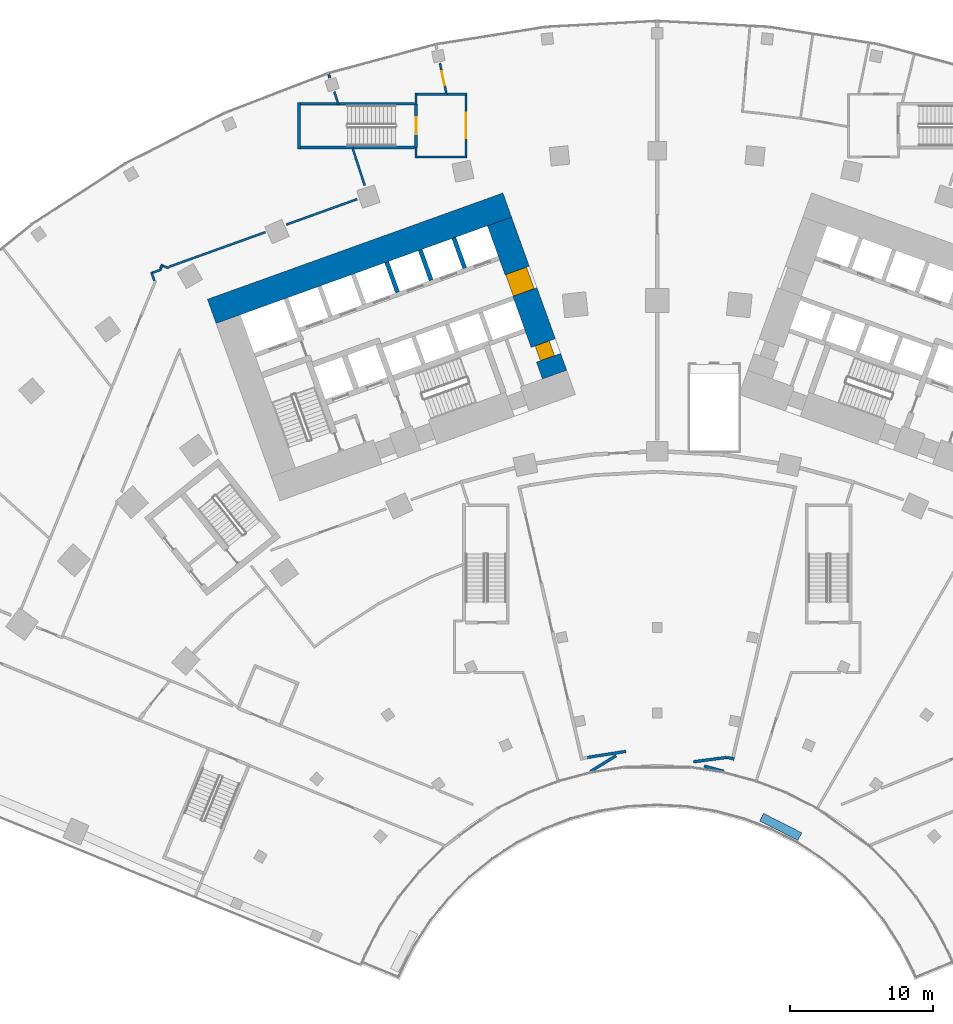
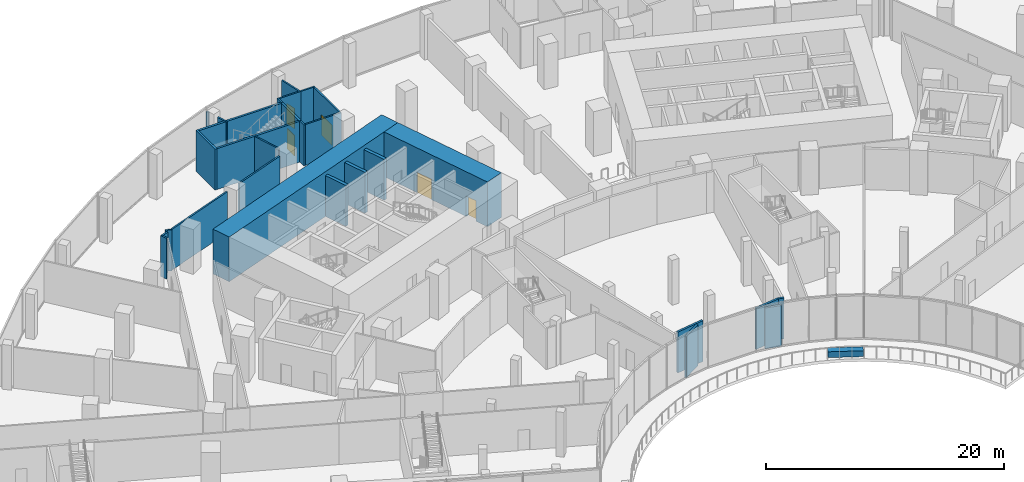
# One storey, part 24 of 40: 33 walls, 5 doors, 5 openings.
"""IFC4 building model written with IfcOpenShell, lengths in metres."""

from ifc_helpers import new_model, si_unit, direction, frame, frame_2d, origin, origin_2d, place, context, subcontext, project, spatial, rectangle, extrude, material, layer, layer_set, type_object, element, fill, save


model = new_model("IFC4")

# Units and contexts
model_context = context("Model", 3, precision=1e-05, world=origin(), true_north=direction((0.0, 1.0)))
body_context = subcontext(model_context, "Body", "Model", "MODEL_VIEW")
ifc_project = project(units=[si_unit("LENGTHUNIT", "METRE"), si_unit("AREAUNIT", "SQUARE_METRE"), si_unit("VOLUMEUNIT", "CUBIC_METRE"), si_unit("PLANEANGLEUNIT", "RADIAN"), si_unit("MASSUNIT", "GRAM", prefix="KILO")], contexts=[model_context])

# Site, building, storey
site_placement = place(None, origin())
site = spatial("IfcSite", under=ifc_project, at=site_placement, CompositionType="ELEMENT")
building_placement = place(site_placement, origin())
building = spatial("IfcBuilding", under=site, at=building_placement, Name="Stone Belt Terrace Tower", CompositionType="ELEMENT")
storey_placement = place(building_placement, frame((0.0, 0.0, 11.60009765625)))
storey = spatial("IfcBuildingStorey", under=building, at=storey_placement, Name="L02", CompositionType="ELEMENT", Elevation=11.60009765625)

# Wall
ifc_material_1 = material(Name="Concrete B80", Category="concrete")
ifc_layer_1 = layer(ifc_material_1, 1.800048828125)
ifc_layer_set_1 = layer_set([ifc_layer_1], Name="Core wall 1800 B80")
wall_type_1 = type_object("IfcWallType", Name="Core wall 1800 B80", PredefinedType="SHEAR", material=ifc_layer_set_1)
wall_1_placement = place(storey_placement, frame((-31.20947265625, 54.23583984375, 0.0), z_axis=(0.0, 0.0, 1.0), x_axis=(0.940922914687, 0.338620833112, 0.0)))
element("IfcWall", 1, at=wall_1_placement, inside=storey, type_object=wall_type_1, Name="Core A wall convex L02", PredefinedType="SHEAR", context=body_context, shape_type="SweptSolid", body=[
    extrude(rectangle(XDim=22.000244140625, YDim=1.800048828125, at=frame_2d((11.0, 0.0))), origin(), (0.0, 0.0, 1.0), 4.599853515625),
])

# Wall, openings, doors
wall_2_placement = place(storey_placement, frame((-7.19091796875, 49.8076171875, 0.0), z_axis=(0.0, 0.0, 1.0), x_axis=(-0.338632255135, 0.940918804033, 0.0)))
wall_2 = element("IfcWall", 2, at=wall_2_placement, inside=storey, type_object=wall_type_1, Name="Core A wall end_b L02", PredefinedType="SHEAR", context=body_context, shape_type="SweptSolid", body=[
    extrude(rectangle(XDim=11.39990234375, YDim=1.800048828125, at=frame_2d((5.699951171875, 0.0))), origin(), (0.0, 0.0, 1.0), 4.599853515625),
])
opening_1_placement = place(wall_2_placement, frame((6.14990234375, 0.0, 0.0)))
opening_1 = element("IfcOpeningElement", 3, at=opening_1_placement, cuts=wall_2, Name="Opening L02-C02", PredefinedType="OPENING", context=body_context, shape_type="SweptSolid", body=[
    extrude(rectangle(XDim=1.60009765625, YDim=2.10009765625, at=frame_2d((0.800048828125, 1.050048828125))), frame((0.0, 0.909912109375, 0.0), z_axis=(0.0, -1.0, 0.0), x_axis=(1.0, 0.0, 0.0)), (0.0, 0.0, 1.0), 1.820068359375),
])
opening_2_placement = place(wall_2_placement, frame((1.25, 0.0, 0.0)))
opening_2 = element("IfcOpeningElement", 4, at=opening_2_placement, cuts=wall_2, Name="Opening L02-C08", PredefinedType="OPENING", context=body_context, shape_type="SweptSolid", body=[
    extrude(rectangle(XDim=1.10009765625, YDim=2.10009765625, at=frame_2d((0.550048828125, 1.050048828125))), frame((0.0, 0.909912109375, 0.0), z_axis=(0.0, -1.0, 0.0), x_axis=(1.0, 0.0, 0.0)), (0.0, 0.0, 1.0), 1.820068359375),
])
ifc_material_2 = material(Name="Timber door leaf", Category="wood")
door_type_1 = type_object("IfcDoorType", Name="Core room door 1100", OperationType="SINGLE_SWING_LEFT", PredefinedType="DOOR", material=ifc_material_2)
door_1_placement = place(opening_2_placement, origin())
door_1 = element("IfcDoor", 5, at=door_1_placement, inside=storey, type_object=door_type_1, Name="Door to Cleaner's store core A", OperationType="SINGLE_SWING_RIGHT", OverallHeight=2.10009765625, OverallWidth=1.10009765625, PredefinedType="DOOR", context=body_context, shape_type="SweptSolid", body=[
    extrude(rectangle(XDim=1.10009765625, YDim=2.10009765625, at=frame_2d((0.550048828125, 1.050048828125))), frame((0.0, 0.60498046875, 0.0), z_axis=(0.0, -1.0, 0.0), x_axis=(1.0, 0.0, 0.0)), (0.0, 0.0, 1.0), 1.050048828125),
])
fill(opening_2, door_1)
ifc_material_3 = material(Name="Glazed aluminium door leaf", Category="aluminium")
door_type_2 = type_object("IfcDoorType", Name="Lift lobby entrance door 1600", OperationType="DOUBLE_DOOR_SINGLE_SWING", PredefinedType="DOOR", material=ifc_material_3)
door_2_placement = place(opening_1_placement, origin())
door_2 = element("IfcDoor", 6, at=door_2_placement, inside=storey, type_object=door_type_2, Name="Lift lobby entrance door core A", OperationType="DOUBLE_DOOR_SINGLE_SWING", OverallHeight=2.10009765625, OverallWidth=1.60009765625, PredefinedType="DOOR", context=body_context, shape_type="SweptSolid", body=[
    extrude(rectangle(XDim=1.60009765625, YDim=2.10009765625, at=frame_2d((0.800048828125, 1.050048828125))), frame((0.0, 0.85498046875, 0.0), z_axis=(0.0, -1.0, 0.0), x_axis=(1.0, 0.0, 0.0)), (0.0, 0.0, 1.0), 1.550048828125),
])
fill(opening_1, door_2)

# Walls
ifc_layer_2 = layer(ifc_material_1, 0.300048828125)
ifc_layer_set_2 = layer_set([ifc_layer_2], Name="Lift shaft wall 300")
wall_type_2 = type_object("IfcWallType", Name="Lift shaft wall 300", PredefinedType="SHEAR", material=ifc_layer_set_2)
wall_3_placement = place(storey_placement, frame((-18.193115234375, 55.572509765625, 0.0), z_axis=(0.0, 0.0, 1.0), x_axis=(-0.338535034312, 0.940953787677, 0.0)))
element("IfcWall", 7, at=wall_3_placement, inside=storey, type_object=wall_type_2, Name="Core A wall", PredefinedType="SHEAR", context=body_context, shape_type="SweptSolid", body=[
    extrude(rectangle(XDim=2.25, YDim=0.300048828125, at=frame_2d((1.125, 0.0))), origin(), (0.0, 0.0, 1.0), 4.199951171875),
])
wall_4_placement = place(storey_placement, frame((-15.8408203125, 56.419189453125, 0.0), z_axis=(0.0, 0.0, 1.0), x_axis=(-0.338569601369, 0.940941350472, 0.0)))
element("IfcWall", 8, at=wall_4_placement, inside=storey, type_object=wall_type_2, Name="Core A wall", PredefinedType="SHEAR", context=body_context, shape_type="SweptSolid", body=[
    extrude(rectangle(XDim=2.249755859375, YDim=0.300048828125, at=frame_2d((1.125, 0.0))), origin(), (0.0, 0.0, 1.0), 4.199951171875),
])
wall_5_placement = place(storey_placement, frame((-13.48828125, 57.265625, 0.0), z_axis=(0.0, 0.0, 1.0), x_axis=(-0.338631098537, 0.940919220286, 0.0)))
element("IfcWall", 9, at=wall_5_placement, inside=storey, type_object=wall_type_2, Name="Core A wall", PredefinedType="SHEAR", context=body_context, shape_type="SweptSolid", body=[
    extrude(rectangle(XDim=2.250244140625, YDim=0.300048828125, at=frame_2d((1.125, 0.0))), origin(), (0.0, 0.0, 1.0), 4.199951171875),
])
ifc_material_4 = material(Name="Precast concrete C40/50", Category="concrete")
ifc_layer_3 = layer(ifc_material_4, 0.60009765625)
ifc_layer_set_3 = layer_set([ifc_layer_3], Name="Planter box 600 x 600")
wall_type_3 = type_object("IfcWallType", Name="Planter box 600 x 600", PredefinedType="SOLIDWALL", material=ifc_layer_set_3)
wall_6_placement = place(storey_placement, frame((8.6513671875, 18.12060546875, -0.000244140625), z_axis=(0.0, 0.0, 1.0), x_axis=(0.891006524188, -0.45399049974, 0.0)))
element("IfcWall", 10, at=wall_6_placement, inside=storey, type_object=wall_type_3, Name="PLANTER L02 2", PredefinedType="SOLIDWALL", context=body_context, shape_type="SweptSolid", body=[
    extrude(rectangle(XDim=3.0, YDim=0.60009765625, at=origin_2d()), origin(), (0.0, 0.0, 1.0), 0.60009765625),
])
ifc_material_5 = material(Name="Blockwork wall, plastered both faces", Category="masonry")
ifc_layer_4 = layer(ifc_material_5, 0.199951171875)
ifc_layer_set_4 = layer_set([ifc_layer_4], Name="Podium demising wall 200")
wall_type_4 = type_object("IfcWallType", Name="Podium demising wall 200", PredefinedType="PARTITIONING", material=ifc_layer_set_4)
wall_7_placement = place(storey_placement, frame((-4.88671875, 22.990478515625, 0.0), z_axis=(0.0, 0.0, 1.0), x_axis=(0.987996599957, 0.154475624202, 0.0)))
element("IfcWall", 11, at=wall_7_placement, inside=storey, type_object=wall_type_4, Name="Podium demising wall 200", PredefinedType="PARTITIONING", context=body_context, shape_type="SweptSolid", body=[
    extrude(rectangle(XDim=2.715087890625, YDim=0.199951171875, at=frame_2d((1.357421875, 0.0))), origin(), (0.0, 0.0, 1.0), 4.199951171875),
])
wall_8_placement = place(storey_placement, frame((-4.669921875, 22.010009765625, 0.0), z_axis=(0.0, 0.0, 1.0), x_axis=(0.851626349677, 0.524149368536, 0.0)))
element("IfcWall", 12, at=wall_8_placement, inside=storey, type_object=wall_type_4, Name="Podium demising wall 200", PredefinedType="PARTITIONING", context=body_context, shape_type="SweptSolid", body=[
    extrude(rectangle(XDim=2.097900390625, YDim=0.199951171875, at=frame_2d((1.048828125, 0.0))), origin(), (0.0, 0.0, 1.0), 4.199951171875),
])
wall_9_placement = place(storey_placement, frame((3.282470703125, 22.381591796875, 0.0), z_axis=(0.0, 0.0, 1.0), x_axis=(0.965957912385, -0.258699268459, 0.0)))
element("IfcWall", 13, at=wall_9_placement, inside=storey, type_object=wall_type_4, Name="Podium demising wall 200", PredefinedType="PARTITIONING", context=body_context, shape_type="SweptSolid", body=[
    extrude(rectangle(XDim=1.436279296875, YDim=0.199951171875, at=frame_2d((0.71826171875, 0.0))), origin(), (0.0, 0.0, 1.0), 4.199951171875),
])
wall_10_placement = place(storey_placement, frame((2.5400390625, 22.683837890625, 0.0), z_axis=(0.0, 0.0, 1.0), x_axis=(0.991614297097, 0.129232680821, 0.0)))
element("IfcWall", 14, at=wall_10_placement, inside=storey, type_object=wall_type_4, Name="Podium demising wall 200", PredefinedType="PARTITIONING", context=body_context, shape_type="SweptSolid", body=[
    extrude(rectangle(XDim=2.35205078125, YDim=0.199951171875, at=frame_2d((1.176025390625, 0.0))), origin(), (0.0, 0.0, 1.0), 4.199951171875),
])
wall_11_placement = place(storey_placement, frame((4.9072265625, 22.986083984375, 0.0), z_axis=(0.0, 0.0, 1.0), x_axis=(0.975588518778, -0.2196065619, 0.0)))
element("IfcWall", 15, at=wall_11_placement, inside=storey, type_object=wall_type_4, Name="Podium demising wall 200", PredefinedType="PARTITIONING", context=body_context, shape_type="SweptSolid", body=[
    extrude(rectangle(XDim=0.492431640625, YDim=0.199951171875, at=frame_2d((0.24609375, 0.0))), origin(), (0.0, 0.0, 1.0), 4.199951171875),
])
ifc_material_6 = material(Name="Gypsum board on steel stud partition", Category="steel")
ifc_layer_5 = layer(ifc_material_6, 0.14990234375)
ifc_layer_set_5 = layer_set([ifc_layer_5], Name="Podium partition 150")
wall_type_5 = type_object("IfcWallType", Name="Podium partition 150", PredefinedType="PARTITIONING", material=ifc_layer_set_5)
wall_12_placement = place(storey_placement, frame((-35.4453125, 56.990478515625, 0.0), z_axis=(0.0, 0.0, 1.0), x_axis=(0.338356368575, -0.941018048629, 0.0)))
element("IfcWall", 16, at=wall_12_placement, inside=storey, type_object=wall_type_5, Name="Podium partition 150", PredefinedType="PARTITIONING", context=body_context, shape_type="SweptSolid", body=[
    extrude(rectangle(XDim=0.642822265625, YDim=0.14990234375, at=frame_2d((0.3212890625, 0.0))), origin(), (0.0, 0.0, 1.0), 4.199951171875),
])
wall_13_placement = place(storey_placement, frame((-35.349609375, 56.945556640625, 0.0), z_axis=(0.0, 0.0, 1.0), x_axis=(0.940278374132, 0.340406491037, 0.0)))
element("IfcWall", 17, at=wall_13_placement, inside=storey, type_object=wall_type_5, Name="Podium partition 150", PredefinedType="PARTITIONING", context=body_context, shape_type="SweptSolid", body=[
    extrude(rectangle(XDim=0.6455078125, YDim=0.14990234375, at=frame_2d((0.32275390625, 0.0))), origin(), (0.0, 0.0, 1.0), 4.199951171875),
])
wall_14_placement = place(storey_placement, frame((-34.798583984375, 57.224853515625, 0.0), z_axis=(0.0, 0.0, 1.0), x_axis=(0.400978485899, 0.916087470631, 0.0)))
element("IfcWall", 18, at=wall_14_placement, inside=storey, type_object=wall_type_5, Name="Podium partition 150", PredefinedType="PARTITIONING", context=body_context, shape_type="SweptSolid", body=[
    extrude(rectangle(XDim=0.32080078125, YDim=0.14990234375, at=frame_2d((0.160400390625, 0.0))), origin(), (0.0, 0.0, 1.0), 4.199951171875),
])
wall_15_placement = place(storey_placement, frame((-34.6298828125, 57.4228515625, 0.0), z_axis=(0.0, 0.0, 1.0), x_axis=(0.931918492074, -0.362667787556, 0.0)))
element("IfcWall", 19, at=wall_15_placement, inside=storey, type_object=wall_type_5, Name="Podium partition 150", PredefinedType="PARTITIONING", context=body_context, shape_type="SweptSolid", body=[
    extrude(rectangle(XDim=0.425537109375, YDim=0.14990234375, at=frame_2d((0.212890625, 0.0))), origin(), (0.0, 0.0, 1.0), 4.199951171875),
])
wall_16_placement = place(storey_placement, frame((-34.232421875, 57.3486328125, 0.0), z_axis=(0.0, 0.0, 1.0), x_axis=(0.940998265178, 0.338411384164, 0.0)))
element("IfcWall", 20, at=wall_16_placement, inside=storey, type_object=wall_type_5, Name="Podium partition 150", PredefinedType="PARTITIONING", context=body_context, shape_type="SweptSolid", body=[
    extrude(rectangle(XDim=7.212158203125, YDim=0.14990234375, at=frame_2d((3.60595703125, 0.0))), origin(), (0.0, 0.0, 1.0), 4.199951171875),
])
wall_17_placement = place(storey_placement, frame((-25.989013671875, 60.313232421875, 0.0), z_axis=(0.0, 0.0, 1.0), x_axis=(0.941002417958, 0.338399836581, 0.0)))
element("IfcWall", 21, at=wall_17_placement, inside=storey, type_object=wall_type_5, Name="Podium partition 150", PredefinedType="PARTITIONING", context=body_context, shape_type="SweptSolid", body=[
    extrude(rectangle(XDim=5.274658203125, YDim=0.14990234375, at=frame_2d((2.63720703125, 0.0))), origin(), (0.0, 0.0, 1.0), 4.199951171875),
])
wall_18_placement = place(storey_placement, frame((-23.021240234375, 70.85400390625, 0.0), z_axis=(0.0, 0.0, 1.0), x_axis=(0.308117681969, -0.951348250673, 0.0)))
element("IfcWall", 22, at=wall_18_placement, inside=storey, type_object=wall_type_5, Name="Podium partition 150", PredefinedType="PARTITIONING", context=body_context, shape_type="SweptSolid", body=[
    extrude(rectangle(XDim=0.26220703125, YDim=0.14990234375, at=frame_2d((0.131103515625, 0.0))), origin(), (0.0, 0.0, 1.0), 4.199951171875),
])
wall_19_placement = place(storey_placement, frame((-22.62646484375, 69.634033203125, 0.0), z_axis=(0.0, 0.0, 1.0), x_axis=(0.307962881637, -0.951398372678, 0.0)))
element("IfcWall", 23, at=wall_19_placement, inside=storey, type_object=wall_type_5, Name="Podium partition 150", PredefinedType="PARTITIONING", context=body_context, shape_type="SweptSolid", body=[
    extrude(rectangle(XDim=1.0029296875, YDim=0.14990234375, at=frame_2d((0.50146484375, 0.0))), origin(), (0.0, 0.0, 1.0), 4.199951171875),
])
wall_20_placement = place(storey_placement, frame((-21.329345703125, 65.6259765625, 0.0), z_axis=(0.0, 0.0, 1.0), x_axis=(0.309345127618, -0.950949836752, 0.0)))
element("IfcWall", 24, at=wall_20_placement, inside=storey, type_object=wall_type_5, Name="Podium partition 150", PredefinedType="PARTITIONING", context=body_context, shape_type="SweptSolid", body=[
    extrude(rectangle(XDim=2.706298828125, YDim=0.14990234375, at=frame_2d((1.35302734375, 0.0))), origin(), (0.0, 0.0, 1.0), 4.199951171875),
])
wall_21_placement = place(storey_placement, frame((-16.889892578125, 64.97509765625, 0.0), z_axis=(0.0, 0.0, 1.0), x_axis=(0.0, 1.0, 0.0)))
element("IfcWall", 25, at=wall_21_placement, inside=storey, type_object=wall_type_5, Name="Podium partition 150", PredefinedType="PARTITIONING", context=body_context, shape_type="SweptSolid", body=[
    extrude(rectangle(XDim=0.744873046875, YDim=0.14990234375, at=frame_2d((0.37255859375, 0.0))), origin(), (0.0, 0.0, 1.0), 4.199951171875),
])
wall_22_placement = place(storey_placement, frame((-16.81494140625, 65.050048828125, 0.0), z_axis=(0.0, 0.0, 1.0), x_axis=(1.0, 0.0, 0.0)))
element("IfcWall", 26, at=wall_22_placement, inside=storey, type_object=wall_type_5, Name="Podium partition 150", PredefinedType="PARTITIONING", context=body_context, shape_type="SweptSolid", body=[
    extrude(rectangle(XDim=3.5, YDim=0.14990234375, at=frame_2d((1.75, 0.0))), origin(), (0.0, 0.0, 1.0), 4.199951171875),
])
wall_23_placement = place(storey_placement, frame((-16.889892578125, 68.780029296875, 0.0), z_axis=(0.0, 0.0, 1.0), x_axis=(0.0, 1.0, 0.0)))
element("IfcWall", 27, at=wall_23_placement, inside=storey, type_object=wall_type_5, Name="Podium partition 150", PredefinedType="PARTITIONING", context=body_context, shape_type="SweptSolid", body=[
    extrude(rectangle(XDim=0.744873046875, YDim=0.14990234375, at=frame_2d((0.37255859375, 0.0))), origin(), (0.0, 0.0, 1.0), 4.199951171875),
])
wall_24_placement = place(storey_placement, frame((-16.81494140625, 69.449951171875, 0.0), z_axis=(0.0, 0.0, 1.0), x_axis=(1.0, 0.0, 0.0)))
element("IfcWall", 28, at=wall_24_placement, inside=storey, type_object=wall_type_5, Name="Podium partition 150", PredefinedType="PARTITIONING", context=body_context, shape_type="SweptSolid", body=[
    extrude(rectangle(XDim=2.131591796875, YDim=0.14990234375, at=frame_2d((1.06591796875, 0.0))), origin(), (0.0, 0.0, 1.0), 4.199951171875),
])

# Wall, opening, door
wall_25_placement = place(storey_placement, frame((-15.222900390625, 71.617919921875, 0.0), z_axis=(0.0, 0.0, 1.0), x_axis=(0.208830476195, -0.977951855774, 0.0)))
wall_25 = element("IfcWall", 29, at=wall_25_placement, inside=storey, type_object=wall_type_5, Name="Podium partition 150", PredefinedType="PARTITIONING", context=body_context, shape_type="SweptSolid", body=[
    extrude(rectangle(XDim=2.124267578125, YDim=0.14990234375, at=frame_2d((1.06201171875, 0.0))), origin(), (0.0, 0.0, 1.0), 4.199951171875),
])
opening_3_placement = place(wall_25_placement, frame((0.570068359375, 0.0, 0.0)))
opening_3 = element("IfcOpeningElement", 30, at=opening_3_placement, cuts=wall_25, Name="Opening L02-P12", PredefinedType="OPENING", context=body_context, shape_type="SweptSolid", body=[
    extrude(rectangle(XDim=1.0, YDim=2.10009765625, at=frame_2d((0.5, 1.050048828125))), frame((0.0, 0.0849609375, 0.0), z_axis=(0.0, -1.0, 0.0), x_axis=(1.0, 0.0, 0.0)), (0.0, 0.0, 1.0), 0.169921875),
])
ifc_material_7 = material(Name="Steel framed door leaf", Category="steel")
door_type_3 = type_object("IfcDoorType", Name="Podium door single 1000", OperationType="SINGLE_SWING_LEFT", PredefinedType="DOOR", material=ifc_material_7)
door_3_placement = place(opening_3_placement, origin())
door_3 = element("IfcDoor", 31, at=door_3_placement, inside=storey, type_object=door_type_3, Name="Podium door single 1000", OperationType="SINGLE_SWING_RIGHT", OverallHeight=2.10009765625, OverallWidth=1.0, PredefinedType="DOOR", context=body_context, shape_type="SweptSolid", body=[
    extrude(rectangle(XDim=1.0, YDim=2.10009765625, at=frame_2d((0.5, 1.050048828125))), frame((0.0, 0.02490234375, 0.0), z_axis=(0.0, -1.0, 0.0), x_axis=(1.0, 0.0, 0.0)), (0.0, 0.0, 1.0), 0.050048828125),
])
fill(opening_3, door_3)

# Wall
wall_26_placement = place(storey_placement, frame((-14.681884765625, 69.449951171875, 0.0), z_axis=(0.0, 0.0, 1.0), x_axis=(1.0, 0.0, 0.0)))
element("IfcWall", 32, at=wall_26_placement, inside=storey, type_object=wall_type_5, Name="Podium partition 150", PredefinedType="PARTITIONING", context=body_context, shape_type="SweptSolid", body=[
    extrude(rectangle(XDim=1.366943359375, YDim=0.14990234375, at=frame_2d((0.68359375, 0.0))), origin(), (0.0, 0.0, 1.0), 4.199951171875),
])

# Wall, opening, door
wall_27_placement = place(storey_placement, frame((-13.389892578125, 65.125, 0.0), z_axis=(0.0, 0.0, 1.0), x_axis=(0.0, 1.0, 0.0)))
wall_27 = element("IfcWall", 33, at=wall_27_placement, inside=storey, type_object=wall_type_5, Name="Podium partition 150", PredefinedType="PARTITIONING", context=body_context, shape_type="SweptSolid", body=[
    extrude(rectangle(XDim=4.25, YDim=0.14990234375, at=frame_2d((2.125, 0.0))), origin(), (0.0, 0.0, 1.0), 4.199951171875),
])
opening_4_placement = place(wall_27_placement, frame((1.22509765625, 0.0, 0.0)))
opening_4 = element("IfcOpeningElement", 34, at=opening_4_placement, cuts=wall_27, Name="Opening L02-P36", PredefinedType="OPENING", context=body_context, shape_type="SweptSolid", body=[
    extrude(rectangle(XDim=1.800048828125, YDim=2.10009765625, at=frame_2d((0.89990234375, 1.050048828125))), frame((0.0, 0.0849609375, 0.0), z_axis=(0.0, -1.0, 0.0), x_axis=(1.0, 0.0, 0.0)), (0.0, 0.0, 1.0), 0.169921875),
])
door_type_4 = type_object("IfcDoorType", Name="Podium door double 1800", OperationType="DOUBLE_DOOR_SINGLE_SWING", PredefinedType="DOOR", material=ifc_material_7)
door_4_placement = place(opening_4_placement, origin())
door_4 = element("IfcDoor", 35, at=door_4_placement, inside=storey, type_object=door_type_4, Name="Podium door double 1800", OperationType="DOUBLE_DOOR_SINGLE_SWING", OverallHeight=2.10009765625, OverallWidth=1.800048828125, PredefinedType="DOOR", context=body_context, shape_type="SweptSolid", body=[
    extrude(rectangle(XDim=1.800048828125, YDim=2.10009765625, at=frame_2d((0.89990234375, 1.050048828125))), frame((0.0, 0.02490234375, 0.0), z_axis=(0.0, -1.0, 0.0), x_axis=(1.0, 0.0, 0.0)), (0.0, 0.0, 1.0), 0.050048828125),
])
fill(opening_4, door_4)

# Walls
ifc_material_8 = material(Name="Concrete B30", Category="concrete")
ifc_layer_6 = layer(ifc_material_8, 0.199951171875)
ifc_layer_set_6 = layer_set([ifc_layer_6], Name="Podium stair and shaft wall 200")
wall_type_6 = type_object("IfcWallType", Name="Podium stair and shaft wall 200", PredefinedType="SOLIDWALL", material=ifc_layer_set_6)
wall_28_placement = place(storey_placement, frame((-25.110107421875, 65.6201171875, 0.0), z_axis=(0.0, 0.0, 1.0), x_axis=(0.0, 1.0, 0.0)))
element("IfcWall", 36, at=wall_28_placement, inside=storey, type_object=wall_type_6, Name="Podium stair and shaft wall 200", PredefinedType="SOLIDWALL", context=body_context, shape_type="SweptSolid", body=[
    extrude(rectangle(XDim=3.259765625, YDim=0.199951171875, at=frame_2d((1.6298828125, 0.0))), origin(), (0.0, 0.0, 1.0), 4.199951171875),
])
wall_29_placement = place(storey_placement, frame((-25.010009765625, 65.719970703125, 0.0), z_axis=(0.0, 0.0, 1.0), x_axis=(1.0, 0.0, 0.0)))
element("IfcWall", 37, at=wall_29_placement, inside=storey, type_object=wall_type_6, Name="Podium stair and shaft wall 200", PredefinedType="SOLIDWALL", context=body_context, shape_type="SweptSolid", body=[
    extrude(rectangle(XDim=3.72900390625, YDim=0.199951171875, at=frame_2d((1.864501953125, 0.0))), origin(), (0.0, 0.0, 1.0), 4.199951171875),
])
wall_30_placement = place(storey_placement, frame((-25.010009765625, 68.780029296875, 0.0), z_axis=(0.0, 0.0, 1.0), x_axis=(1.0, 0.0, 0.0)))
element("IfcWall", 38, at=wall_30_placement, inside=storey, type_object=wall_type_6, Name="Podium stair and shaft wall 200", PredefinedType="SOLIDWALL", context=body_context, shape_type="SweptSolid", body=[
    extrude(rectangle(XDim=2.764892578125, YDim=0.199951171875, at=frame_2d((1.38232421875, 0.0))), origin(), (0.0, 0.0, 1.0), 4.199951171875),
])
wall_31_placement = place(storey_placement, frame((-22.2451171875, 68.780029296875, 0.0), z_axis=(0.0, 0.0, 1.0), x_axis=(1.0, 0.0, 0.0)))
element("IfcWall", 39, at=wall_31_placement, inside=storey, type_object=wall_type_6, Name="Podium stair and shaft wall 200", PredefinedType="SOLIDWALL", context=body_context, shape_type="SweptSolid", body=[
    extrude(rectangle(XDim=5.255126953125, YDim=0.199951171875, at=frame_2d((2.62744140625, 0.0))), origin(), (0.0, 0.0, 1.0), 4.199951171875),
])
wall_32_placement = place(storey_placement, frame((-21.281005859375, 65.719970703125, 0.0), z_axis=(0.0, 0.0, 1.0), x_axis=(1.0, 0.0, 0.0)))
element("IfcWall", 40, at=wall_32_placement, inside=storey, type_object=wall_type_6, Name="Podium stair and shaft wall 200", PredefinedType="SOLIDWALL", context=body_context, shape_type="SweptSolid", body=[
    extrude(rectangle(XDim=4.291015625, YDim=0.199951171875, at=frame_2d((2.1455078125, 0.0))), origin(), (0.0, 0.0, 1.0), 4.199951171875),
])

# Wall, opening, door
wall_33_placement = place(storey_placement, frame((-16.889892578125, 65.719970703125, 0.0), z_axis=(0.0, 0.0, 1.0), x_axis=(0.0, 1.0, 0.0)))
wall_33 = element("IfcWall", 41, at=wall_33_placement, inside=storey, type_object=wall_type_6, Name="Podium stair and shaft wall 200", PredefinedType="SOLIDWALL", context=body_context, shape_type="SweptSolid", body=[
    extrude(rectangle(XDim=3.06005859375, YDim=0.199951171875, at=frame_2d((1.530029296875, 0.0))), origin(), (0.0, 0.0, 1.0), 4.199951171875),
])
opening_5_placement = place(wall_33_placement, frame((0.929931640625, 0.0, 0.0)))
opening_5 = element("IfcOpeningElement", 42, at=opening_5_placement, cuts=wall_33, Name="Opening L02-P07", PredefinedType="OPENING", context=body_context, shape_type="SweptSolid", body=[
    extrude(rectangle(XDim=1.199951171875, YDim=2.10009765625, at=frame_2d((0.60009765625, 1.050048828125))), frame((0.0, 0.10986328125, 0.0), z_axis=(0.0, -1.0, 0.0), x_axis=(1.0, 0.0, 0.0)), (0.0, 0.0, 1.0), 0.219970703125),
])
door_type_5 = type_object("IfcDoorType", Name="Podium door fire stair 1200", OperationType="SINGLE_SWING_LEFT", PredefinedType="DOOR", material=ifc_material_7)
door_5_placement = place(opening_5_placement, origin())
door_5 = element("IfcDoor", 43, at=door_5_placement, inside=storey, type_object=door_type_5, Name="Podium door fire stair 1200", OperationType="SINGLE_SWING_LEFT", OverallHeight=2.10009765625, OverallWidth=1.199951171875, PredefinedType="DOOR", context=body_context, shape_type="SweptSolid", body=[
    extrude(rectangle(XDim=1.199951171875, YDim=2.10009765625, at=frame_2d((0.60009765625, 1.050048828125))), frame((0.0, 0.02490234375, 0.0), z_axis=(0.0, -1.0, 0.0), x_axis=(1.0, 0.0, 0.0)), (0.0, 0.0, 1.0), 0.050048828125),
])
fill(opening_5, door_5)

save(model, "model.ifc")
